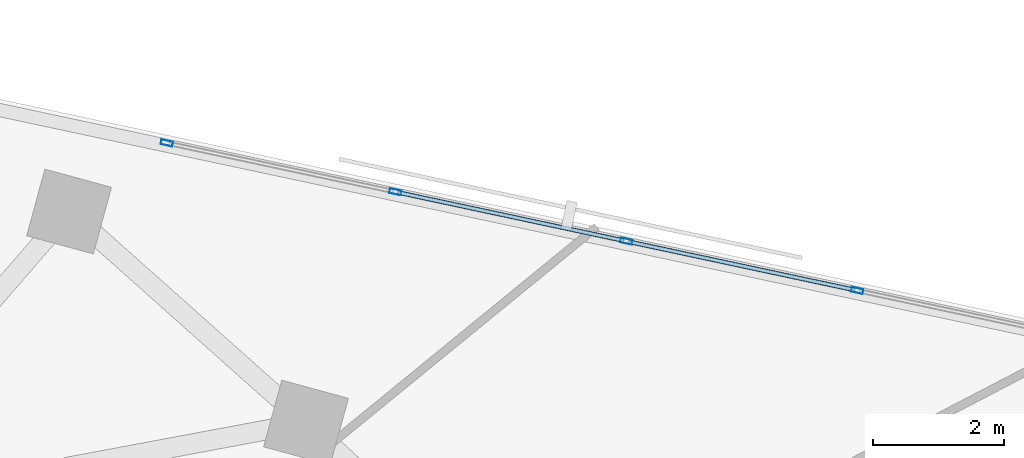
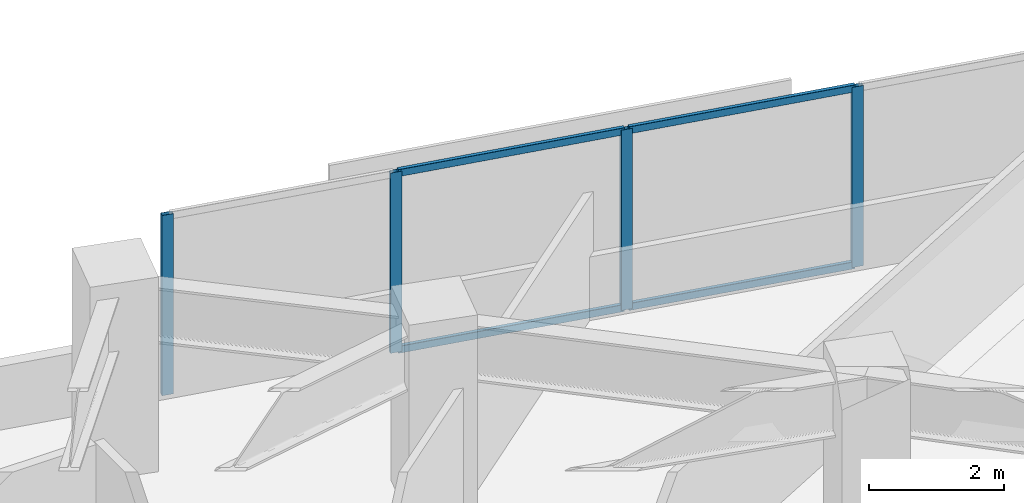
# One storey, part 4 of 13: 8 members, 1 element without a shape of its own.
"""IFC4 building model written with IfcOpenShell, lengths in metres."""

from ifc_helpers import new_model, si_unit, direction, frame, origin, origin_2d, place, context, subcontext, project, spatial, hollow_rectangle, extrude, material, material_profile, profile_set, type_object, element, aggregate, save


model = new_model("IFC4")

# Units and contexts
model_context = context("Model", 3, precision=1e-05, world=origin(), true_north=direction((0.0, 1.0)))
body_context = subcontext(model_context, "Body", "Model", "MODEL_VIEW")
ifc_project = project(units=[si_unit("LENGTHUNIT", "METRE"), si_unit("AREAUNIT", "SQUARE_METRE"), si_unit("VOLUMEUNIT", "CUBIC_METRE"), si_unit("PLANEANGLEUNIT", "RADIAN"), si_unit("MASSUNIT", "GRAM", prefix="KILO")], contexts=[model_context])

# Site, building, storey
site_placement = place(None, origin())
site = spatial("IfcSite", under=ifc_project, at=site_placement, CompositionType="ELEMENT")
building_placement = place(site_placement, origin())
building = spatial("IfcBuilding", under=site, at=building_placement, Name="Narakoshi Arena Tower", CompositionType="ELEMENT")
storey_placement = place(building_placement, frame((0.0, 0.0, 229.06005859375)))
storey = spatial("IfcBuildingStorey", under=building, at=storey_placement, Name="L62", CompositionType="ELEMENT", Elevation=229.06005859375)

# Curtain wall, members
ifc_material = material(Name="Anodised bronze aluminium 6063-T6", Category="aluminium")
curtain_wall_type = type_object("IfcCurtainWallType", Name="CW-HYP-MID", PredefinedType="NOTDEFINED", material=ifc_material)
curtain_wall_placement = place(storey_placement, origin())
curtain_wall = element("IfcCurtainWall", 1, at=curtain_wall_placement, inside=storey, type_object=curtain_wall_type, Name="L62 Folded Hypotenuse Curtain Wall 1-1", PredefinedType="NOTDEFINED")
ifc_material_profile_1 = material_profile(ifc_material, hollow_rectangle(XDim=0.074951171875, YDim=0.179931640625, WallThickness=0.00390625, OuterFilletRadius=0.0048828125, at=origin_2d()), Name="MUL180x75x4")
ifc_profile_set_1 = profile_set([ifc_material_profile_1], Name="Anodised bronze aluminium 6063-T6")
member_type_1 = type_object("IfcMemberType", Name="MEM-MUL-180", PredefinedType="MULLION", material=ifc_profile_set_1)
member_1_placement = place(storey_placement, frame((101.553955078125, 59.932861328125, 0.0), z_axis=(0.0, 0.0, 1.0), x_axis=(-0.208899163248, -0.977937185914, 0.0)))
member_1 = element("IfcMember", 2, at=member_1_placement, type_object=member_type_1, Name="CW-02 mullion 5", PredefinedType="MULLION", context=body_context, shape_type="SweptSolid", body=[
    extrude(hollow_rectangle(XDim=0.074951171875, YDim=0.179931640625, WallThickness=0.00390625, OuterFilletRadius=0.0048828125, at=origin_2d()), origin(), (0.0, 0.0, 1.0), 3.260009765625),
])
member_2_placement = place(storey_placement, frame((98.0400390625, 60.68359375, 0.0), z_axis=(0.0, 0.0, 1.0), x_axis=(-0.208899163248, -0.977937185914, 0.0)))
member_2 = element("IfcMember", 3, at=member_2_placement, type_object=member_type_1, Name="CW-02 mullion 6", PredefinedType="MULLION", context=body_context, shape_type="SweptSolid", body=[
    extrude(hollow_rectangle(XDim=0.074951171875, YDim=0.179931640625, WallThickness=0.00390625, OuterFilletRadius=0.0048828125, at=origin_2d()), origin(), (0.0, 0.0, 1.0), 3.260009765625),
])
member_3_placement = place(storey_placement, frame((94.52587890625, 61.434326171875, 0.0), z_axis=(0.0, 0.0, 1.0), x_axis=(-0.208899163248, -0.977937185914, 0.0)))
member_3 = element("IfcMember", 4, at=member_3_placement, type_object=member_type_1, Name="CW-02 mullion 7", PredefinedType="MULLION", context=body_context, shape_type="SweptSolid", body=[
    extrude(hollow_rectangle(XDim=0.074951171875, YDim=0.179931640625, WallThickness=0.00390625, OuterFilletRadius=0.0048828125, at=origin_2d()), origin(), (0.0, 0.0, 1.0), 3.260009765625),
])
member_4_placement = place(storey_placement, frame((91.04833984375, 62.177001953125, 0.0), z_axis=(0.0, 0.0, 1.0), x_axis=(-0.208899163248, -0.977937185914, 0.0)))
member_4 = element("IfcMember", 5, at=member_4_placement, type_object=member_type_1, Name="CW-02 mullion 8", PredefinedType="MULLION", context=body_context, shape_type="SweptSolid", body=[
    extrude(hollow_rectangle(XDim=0.074951171875, YDim=0.179931640625, WallThickness=0.00390625, OuterFilletRadius=0.0048828125, at=origin_2d()), origin(), (0.0, 0.0, 1.0), 3.260009765625),
])
ifc_material_profile_2 = material_profile(ifc_material, hollow_rectangle(XDim=0.06494140625, YDim=0.1298828125, WallThickness=0.00390625, OuterFilletRadius=0.0048828125, at=origin_2d()), Name="TRN130x65x4")
ifc_profile_set_2 = profile_set([ifc_material_profile_2], Name="Anodised bronze aluminium 6063-T6")
member_type_2 = type_object("IfcMemberType", Name="MEM-TRN-130", PredefinedType="USERDEFINED", material=ifc_profile_set_2)
member_5_placement = place(storey_placement, frame((101.517333984375, 59.940673828125, 0.032470703125), z_axis=(-0.977929169638, 0.208936686992, 0.0), x_axis=(-0.208936686992, -0.977929169638, 0.0)))
member_5 = element("IfcMember", 6, at=member_5_placement, type_object=member_type_2, Name="CW-02 transom 5.1", ObjectType="TRANSOM", PredefinedType="USERDEFINED", context=body_context, shape_type="SweptSolid", body=[
    extrude(hollow_rectangle(XDim=0.06494140625, YDim=0.1298828125, WallThickness=0.00390625, OuterFilletRadius=0.0048828125, at=origin_2d()), origin(), (0.0, 0.0, 1.0), 3.518310546875),
])
member_6_placement = place(storey_placement, frame((101.517333984375, 59.940673828125, 3.2275390625), z_axis=(-0.977929169638, 0.208936686992, 0.0), x_axis=(-0.208936686992, -0.977929169638, 0.0)))
member_6 = element("IfcMember", 7, at=member_6_placement, type_object=member_type_2, Name="CW-02 transom 5.2", ObjectType="TRANSOM", PredefinedType="USERDEFINED", context=body_context, shape_type="SweptSolid", body=[
    extrude(hollow_rectangle(XDim=0.06494140625, YDim=0.1298828125, WallThickness=0.00390625, OuterFilletRadius=0.0048828125, at=origin_2d()), origin(), (0.0, 0.0, 1.0), 3.518310546875),
])
member_7_placement = place(storey_placement, frame((98.003173828125, 60.69140625, 0.032470703125), z_axis=(-0.977929169638, 0.208936686992, 0.0), x_axis=(-0.208936686992, -0.977929169638, 0.0)))
member_7 = element("IfcMember", 8, at=member_7_placement, type_object=member_type_2, Name="CW-02 transom 6.1", ObjectType="TRANSOM", PredefinedType="USERDEFINED", context=body_context, shape_type="SweptSolid", body=[
    extrude(hollow_rectangle(XDim=0.06494140625, YDim=0.1298828125, WallThickness=0.00390625, OuterFilletRadius=0.0048828125, at=origin_2d()), origin(), (0.0, 0.0, 1.0), 3.518310546875),
])
member_8_placement = place(storey_placement, frame((98.003173828125, 60.69140625, 3.2275390625), z_axis=(-0.977929169638, 0.208936686992, 0.0), x_axis=(-0.208936686992, -0.977929169638, 0.0)))
member_8 = element("IfcMember", 9, at=member_8_placement, type_object=member_type_2, Name="CW-02 transom 6.2", ObjectType="TRANSOM", PredefinedType="USERDEFINED", context=body_context, shape_type="SweptSolid", body=[
    extrude(hollow_rectangle(XDim=0.06494140625, YDim=0.1298828125, WallThickness=0.00390625, OuterFilletRadius=0.0048828125, at=origin_2d()), origin(), (0.0, 0.0, 1.0), 3.518310546875),
])
aggregate(curtain_wall, [member_1, member_2, member_3, member_4, member_5, member_6, member_7, member_8])

save(model, "model.ifc")
